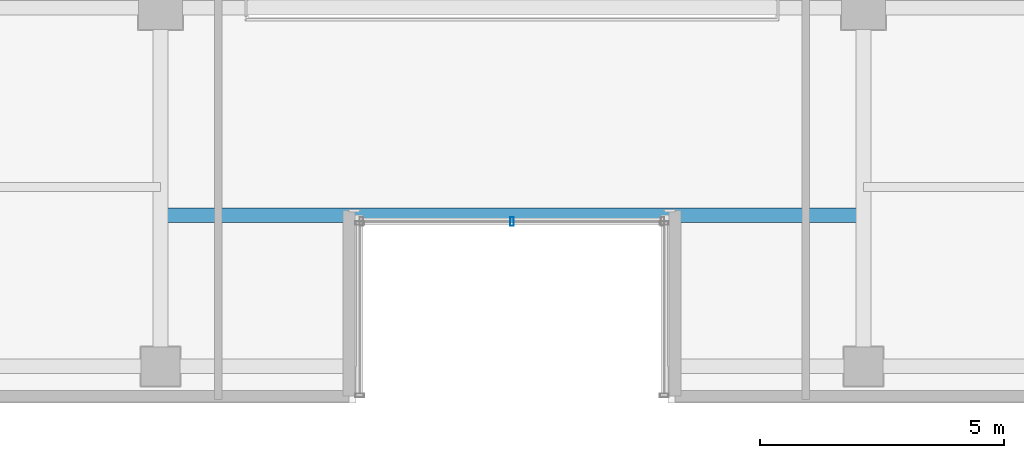
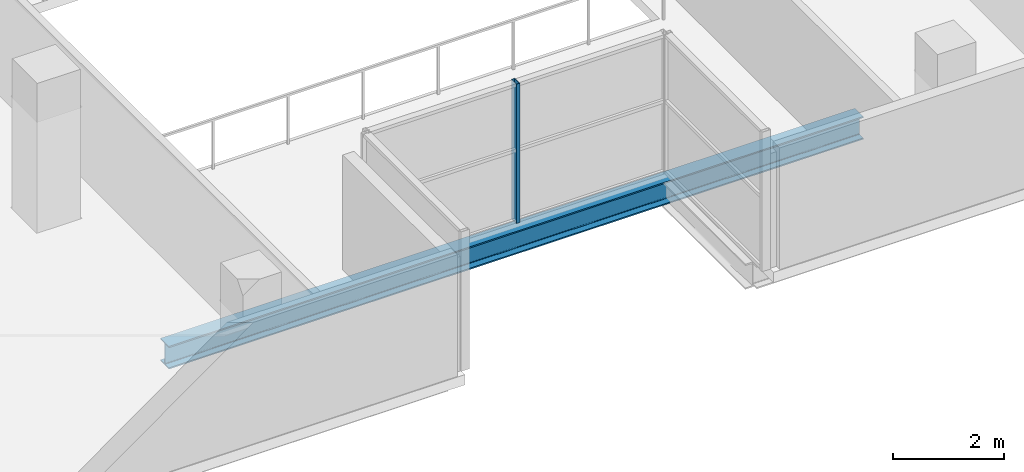
# One storey, part 4 of 28: 1 beam, 1 member, 1 element without a shape of its own.
"""IFC4 building model written with IfcOpenShell, lengths in metres."""

from ifc_helpers import new_model, si_unit, direction, frame, origin, origin_2d, place, context, subcontext, project, spatial, hollow_rectangle, i_section, extrude, source, transform, mapped, material, layer, layer_set, material_profile, profile_set, type_object, element, aggregate, save


model = new_model("IFC4")

# Units and contexts
model_context = context("Model", 3, precision=1e-05, world=origin(), true_north=direction((0.0, 1.0)))
body_context = subcontext(model_context, "Body", "Model", "MODEL_VIEW")
ifc_project = project(units=[si_unit("LENGTHUNIT", "METRE"), si_unit("AREAUNIT", "SQUARE_METRE"), si_unit("VOLUMEUNIT", "CUBIC_METRE"), si_unit("PLANEANGLEUNIT", "RADIAN"), si_unit("MASSUNIT", "GRAM", prefix="KILO")], contexts=[model_context])

# Site, building, storey
site_placement = place(None, origin())
site = spatial("IfcSite", under=ifc_project, at=site_placement, CompositionType="ELEMENT")
building_placement = place(site_placement, origin())
building = spatial("IfcBuilding", under=site, at=building_placement, Name="Zarnakvel Exchange Tower", CompositionType="ELEMENT")
storey_placement = place(building_placement, frame((0.0, 0.0, 109.89990234375)))
storey = spatial("IfcBuildingStorey", under=building, at=storey_placement, Name="L30", CompositionType="ELEMENT", Elevation=109.89990234375)

# Beam
ifc_material_1 = material(Name="Steel S355", Category="steel")
ifc_material_profile_1 = material_profile(ifc_material_1, i_section(OverallWidth=0.300048828125, OverallDepth=0.5, WebThickness=0.014404296875, FlangeThickness=0.028076171875, FilletRadius=0.027099609375, at=origin_2d()))
ifc_profile_set_1 = profile_set([ifc_material_profile_1], Name="Steel S355")
beam_type = type_object("IfcBeamType", Name="SP-02", PredefinedType="SPANDREL", material=ifc_profile_set_1)
beam_placement = place(storey_placement, frame((-7.199951171875, -13.85009765625, -0.474853515625), z_axis=(1.0, 0.0, 0.0), x_axis=(0.0, 1.0, 0.0)))
element("IfcBeam", 1, at=beam_placement, inside=storey, type_object=beam_type, Name="L30 South Slot Head Trimmer Girder", PredefinedType="SPANDREL", context=body_context, shape_type="SweptSolid", body=[
    extrude(i_section(OverallWidth=0.300048828125, OverallDepth=0.5, WebThickness=0.014404296875, FlangeThickness=0.028076171875, FilletRadius=0.027099609375, at=origin_2d()), origin(), (0.0, 0.0, 1.0), 14.39990234375),
])

# Curtain wall, member
ifc_material_2 = material(Name="Architectural Bronze Anodised Aluminium", Category="aluminium")
ifc_layer = layer(ifc_material_2, 0.179931640625)
ifc_layer_set = layer_set([ifc_layer], Name="Architectural Bronze Anodised Aluminium")
curtain_wall_type = type_object("IfcCurtainWallType", Name="CW-05", PredefinedType="NOTDEFINED", material=ifc_layer_set)
curtain_wall_placement = place(storey_placement, origin())
curtain_wall = element("IfcCurtainWall", 2, at=curtain_wall_placement, inside=storey, type_object=curtain_wall_type, Name="L30 Curtain Wall CW-L30-SLB (CW-05)", PredefinedType="NOTDEFINED")
ifc_material_profile_2 = material_profile(ifc_material_2, hollow_rectangle(XDim=0.179931640625, YDim=0.070068359375, WallThickness=0.00390625, at=origin_2d()))
ifc_profile_set_2 = profile_set([ifc_material_profile_2], Name="Architectural Bronze Anodised Aluminium")
member_type = type_object("IfcMemberType", Name="CWM-05", PredefinedType="MULLION", material=ifc_profile_set_2)
shared_shape = source(origin(), body_context, "Body", "SweptSolid", [
    extrude(hollow_rectangle(XDim=0.179931640625, YDim=0.070068359375, WallThickness=0.00390625, at=origin_2d()), origin(), (0.0, 0.0, 1.0), 3.05517578125),
])
member_placement = place(storey_placement, frame((0.0, -13.97998046875, 0.0), z_axis=(0.0, 0.0, 1.0), x_axis=(0.0, 1.0, 0.0)))
member = element("IfcMember", 3, at=member_placement, type_object=member_type, Name="CW-05 mullion 2", PredefinedType="MULLION", context=body_context, shape_type="MappedRepresentation", body=[
    mapped(shared_shape, transform((0.0, 0.0, 0.0), x_axis=(1.0, 0.0, 0.0), y_axis=(0.0, 1.0, 0.0), z_axis=(0.0, 0.0, 1.0), scale=1.0)),
])
aggregate(curtain_wall, [member])

save(model, "model.ifc")
